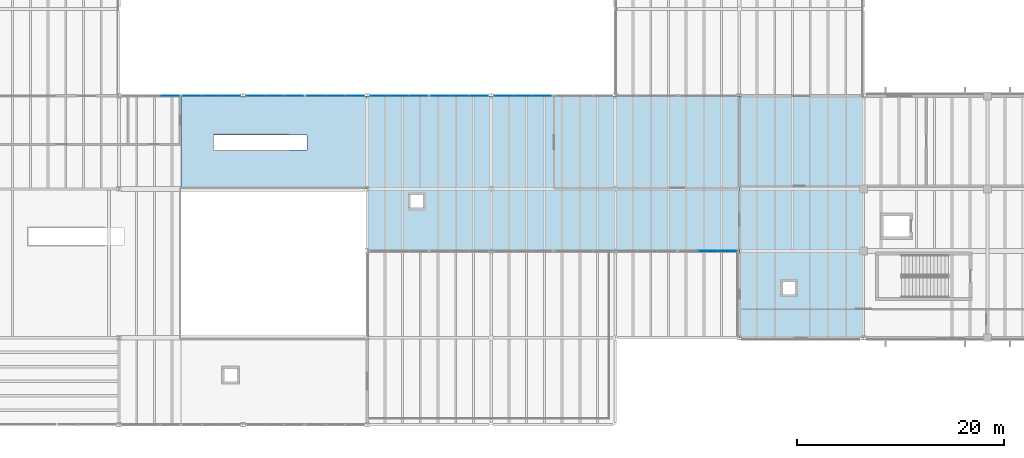
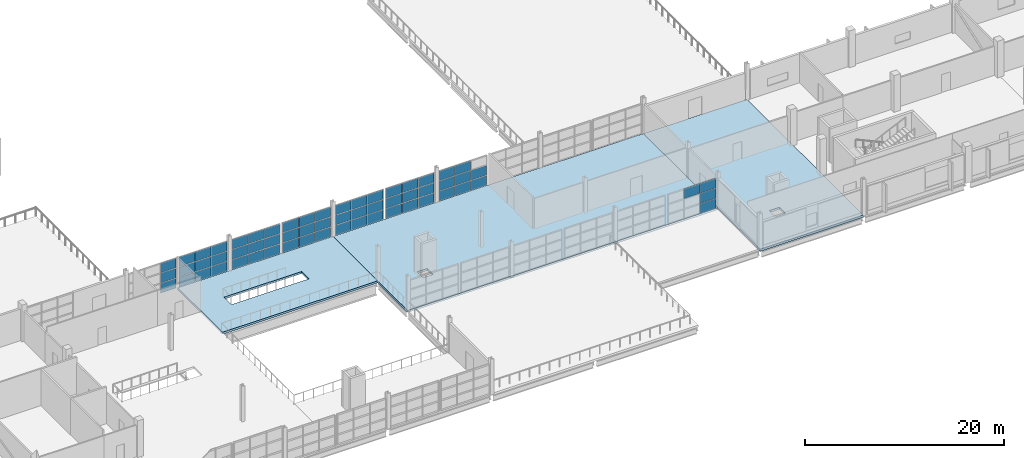
# One storey, part 49 of 78: 60 plates, 3 slabs, 8 elements without a shape of their own.
"""IFC4 building model written with IfcOpenShell, lengths in metres."""

from ifc_helpers import new_model, si_unit, direction, frame, origin, origin_2d, place, context, subcontext, project, spatial, polyline, rectangle, outline, extrude, material, layer, layer_set, type_object, element, aggregate, save


model = new_model("IFC4")

# Units and contexts
model_context = context("Model", 3, precision=1e-05, world=origin(), true_north=direction((0.0, 1.0)))
body_context = subcontext(model_context, "Body", "Model", "MODEL_VIEW")
ifc_project = project(units=[si_unit("LENGTHUNIT", "METRE"), si_unit("AREAUNIT", "SQUARE_METRE"), si_unit("VOLUMEUNIT", "CUBIC_METRE"), si_unit("PLANEANGLEUNIT", "RADIAN"), si_unit("MASSUNIT", "GRAM", prefix="KILO")], contexts=[model_context])

# Site, building, storey
site_placement = place(None, origin())
site = spatial("IfcSite", under=ifc_project, at=site_placement, CompositionType="ELEMENT")
building_placement = place(site_placement, origin())
building = spatial("IfcBuilding", under=site, at=building_placement, Name="Kelmvaro Bay Concert Hall", CompositionType="ELEMENT")
storey_placement = place(building_placement, frame((0.0, 0.0, 9.300048828125)))
storey = spatial("IfcBuildingStorey", under=building, at=storey_placement, Name="L02", CompositionType="ELEMENT", Elevation=9.300048828125)

# Curtain wall, plates
ifc_material_1 = material(Name="Anodised Aluminium and Low-E Insulated Glazing", Category="aluminium")
curtain_wall_type = type_object("IfcCurtainWallType", Name="Upper Salon Waterfront Curtain Wall 4050", PredefinedType="USERDEFINED", material=ifc_material_1)
curtain_wall_1_placement = place(storey_placement, origin())
curtain_wall_1 = element("IfcCurtainWall", 1, at=curtain_wall_1_placement, inside=storey, type_object=curtain_wall_type, Name="Unitised Curtain Wall CW-L02-089", ObjectType="UNITISED GLAZING", PredefinedType="USERDEFINED")
ifc_material_2 = material(Name="Laminated Low-E Insulated Glass", Category="glass")
ifc_layer_1 = layer(ifc_material_2, 1.85009765625)
ifc_layer_set_1 = layer_set([ifc_layer_1], Name="Laminated Low-E Insulated Glass")
plate_type_1 = type_object("IfcPlateType", Name="Courtyard Clear Low-E Glazing Panel 22", PredefinedType="CURTAIN_PANEL", material=ifc_layer_set_1)
plate_1_placement = place(storey_placement, frame((64.92578125, 39.0, 0.0322265625), z_axis=(0.0, 0.0, 1.0), x_axis=(1.0, 0.0, 0.0)))
plate_1 = element("IfcPlate", 2, at=plate_1_placement, type_object=plate_type_1, Name="CW-L02-089 Insulated Glazing Panel 03-1", PredefinedType="CURTAIN_PANEL", context=body_context, shape_type="SweptSolid", body=[
    extrude(rectangle(XDim=1.803466796875, YDim=0.02197265625, at=origin_2d()), origin(), (0.0, 0.0, 1.0), 1.181396484375),
])
plate_2_placement = place(storey_placement, frame((64.92578125, 39.0, 1.27880859375), z_axis=(0.0, 0.0, 1.0), x_axis=(1.0, 0.0, 0.0)))
plate_2 = element("IfcPlate", 3, at=plate_2_placement, type_object=plate_type_1, Name="CW-L02-089 Insulated Glazing Panel 03-2", PredefinedType="CURTAIN_PANEL", context=body_context, shape_type="SweptSolid", body=[
    extrude(rectangle(XDim=1.803466796875, YDim=0.02197265625, at=origin_2d()), origin(), (0.0, 0.0, 1.0), 1.181396484375),
])
plate_3_placement = place(storey_placement, frame((64.92578125, 39.0, 2.52490234375), z_axis=(0.0, 0.0, 1.0), x_axis=(1.0, 0.0, 0.0)))
plate_3 = element("IfcPlate", 4, at=plate_3_placement, type_object=plate_type_1, Name="CW-L02-089 Insulated Glazing Panel 03-3", PredefinedType="CURTAIN_PANEL", context=body_context, shape_type="SweptSolid", body=[
    extrude(rectangle(XDim=1.803466796875, YDim=0.02197265625, at=origin_2d()), origin(), (0.0, 0.0, 1.0), 1.181396484375),
])
aggregate(curtain_wall_1, [plate_1, plate_2, plate_3])

curtain_wall_2_placement = place(storey_placement, origin())
curtain_wall_2 = element("IfcCurtainWall", 5, at=curtain_wall_2_placement, inside=storey, type_object=curtain_wall_type, Name="Unitised Curtain Wall CW-L02-090", ObjectType="UNITISED GLAZING", PredefinedType="USERDEFINED")
plate_4_placement = place(storey_placement, frame((67.07421875, 39.0, 0.0322265625), z_axis=(0.0, 0.0, 1.0), x_axis=(1.0, 0.0, 0.0)))
plate_4 = element("IfcPlate", 6, at=plate_4_placement, type_object=plate_type_1, Name="CW-L02-090 Insulated Glazing Panel 01-1", PredefinedType="CURTAIN_PANEL", context=body_context, shape_type="SweptSolid", body=[
    extrude(rectangle(XDim=1.803466796875, YDim=0.02197265625, at=origin_2d()), origin(), (0.0, 0.0, 1.0), 1.181396484375),
])
plate_5_placement = place(storey_placement, frame((67.07421875, 39.0, 1.27880859375), z_axis=(0.0, 0.0, 1.0), x_axis=(1.0, 0.0, 0.0)))
plate_5 = element("IfcPlate", 7, at=plate_5_placement, type_object=plate_type_1, Name="CW-L02-090 Insulated Glazing Panel 01-2", PredefinedType="CURTAIN_PANEL", context=body_context, shape_type="SweptSolid", body=[
    extrude(rectangle(XDim=1.803466796875, YDim=0.02197265625, at=origin_2d()), origin(), (0.0, 0.0, 1.0), 1.181396484375),
])
plate_6_placement = place(storey_placement, frame((67.07421875, 39.0, 2.52490234375), z_axis=(0.0, 0.0, 1.0), x_axis=(1.0, 0.0, 0.0)))
plate_6 = element("IfcPlate", 8, at=plate_6_placement, type_object=plate_type_1, Name="CW-L02-090 Insulated Glazing Panel 01-3", PredefinedType="CURTAIN_PANEL", context=body_context, shape_type="SweptSolid", body=[
    extrude(rectangle(XDim=1.803466796875, YDim=0.02197265625, at=origin_2d()), origin(), (0.0, 0.0, 1.0), 1.181396484375),
])
plate_7_placement = place(storey_placement, frame((68.94287109375, 39.0, 0.0322265625), z_axis=(0.0, 0.0, 1.0), x_axis=(1.0, 0.0, 0.0)))
plate_7 = element("IfcPlate", 9, at=plate_7_placement, type_object=plate_type_1, Name="CW-L02-090 Insulated Glazing Panel 02-1", PredefinedType="CURTAIN_PANEL", context=body_context, shape_type="SweptSolid", body=[
    extrude(rectangle(XDim=1.803466796875, YDim=0.02197265625, at=origin_2d()), origin(), (0.0, 0.0, 1.0), 1.181396484375),
])
plate_8_placement = place(storey_placement, frame((68.94287109375, 39.0, 1.27880859375), z_axis=(0.0, 0.0, 1.0), x_axis=(1.0, 0.0, 0.0)))
plate_8 = element("IfcPlate", 10, at=plate_8_placement, type_object=plate_type_1, Name="CW-L02-090 Insulated Glazing Panel 02-2", PredefinedType="CURTAIN_PANEL", context=body_context, shape_type="SweptSolid", body=[
    extrude(rectangle(XDim=1.803466796875, YDim=0.02197265625, at=origin_2d()), origin(), (0.0, 0.0, 1.0), 1.181396484375),
])
plate_9_placement = place(storey_placement, frame((68.94287109375, 39.0, 2.52490234375), z_axis=(0.0, 0.0, 1.0), x_axis=(1.0, 0.0, 0.0)))
plate_9 = element("IfcPlate", 11, at=plate_9_placement, type_object=plate_type_1, Name="CW-L02-090 Insulated Glazing Panel 02-3", PredefinedType="CURTAIN_PANEL", context=body_context, shape_type="SweptSolid", body=[
    extrude(rectangle(XDim=1.803466796875, YDim=0.02197265625, at=origin_2d()), origin(), (0.0, 0.0, 1.0), 1.181396484375),
])
plate_10_placement = place(storey_placement, frame((70.811279296875, 39.0, 0.0322265625), z_axis=(0.0, 0.0, 1.0), x_axis=(1.0, 0.0, 0.0)))
plate_10 = element("IfcPlate", 12, at=plate_10_placement, type_object=plate_type_1, Name="CW-L02-090 Insulated Glazing Panel 03-1", PredefinedType="CURTAIN_PANEL", context=body_context, shape_type="SweptSolid", body=[
    extrude(rectangle(XDim=1.803466796875, YDim=0.02197265625, at=origin_2d()), origin(), (0.0, 0.0, 1.0), 1.181396484375),
])
plate_11_placement = place(storey_placement, frame((70.811279296875, 39.0, 1.27880859375), z_axis=(0.0, 0.0, 1.0), x_axis=(1.0, 0.0, 0.0)))
plate_11 = element("IfcPlate", 13, at=plate_11_placement, type_object=plate_type_1, Name="CW-L02-090 Insulated Glazing Panel 03-2", PredefinedType="CURTAIN_PANEL", context=body_context, shape_type="SweptSolid", body=[
    extrude(rectangle(XDim=1.803466796875, YDim=0.02197265625, at=origin_2d()), origin(), (0.0, 0.0, 1.0), 1.181396484375),
])
plate_12_placement = place(storey_placement, frame((70.811279296875, 39.0, 2.52490234375), z_axis=(0.0, 0.0, 1.0), x_axis=(1.0, 0.0, 0.0)))
plate_12 = element("IfcPlate", 14, at=plate_12_placement, type_object=plate_type_1, Name="CW-L02-090 Insulated Glazing Panel 03-3", PredefinedType="CURTAIN_PANEL", context=body_context, shape_type="SweptSolid", body=[
    extrude(rectangle(XDim=1.803466796875, YDim=0.02197265625, at=origin_2d()), origin(), (0.0, 0.0, 1.0), 1.181396484375),
])
aggregate(curtain_wall_2, [plate_4, plate_5, plate_6, plate_7, plate_8, plate_9, plate_10, plate_11, plate_12])

curtain_wall_3_placement = place(storey_placement, origin())
curtain_wall_3 = element("IfcCurtainWall", 15, at=curtain_wall_3_placement, inside=storey, type_object=curtain_wall_type, Name="Unitised Curtain Wall CW-L02-091", ObjectType="UNITISED GLAZING", PredefinedType="USERDEFINED")
plate_13_placement = place(storey_placement, frame((73.188720703125, 39.0, 0.0322265625), z_axis=(0.0, 0.0, 1.0), x_axis=(1.0, 0.0, 0.0)))
plate_13 = element("IfcPlate", 16, at=plate_13_placement, type_object=plate_type_1, Name="CW-L02-091 Insulated Glazing Panel 01-1", PredefinedType="CURTAIN_PANEL", context=body_context, shape_type="SweptSolid", body=[
    extrude(rectangle(XDim=1.803466796875, YDim=0.02197265625, at=origin_2d()), origin(), (0.0, 0.0, 1.0), 1.181396484375),
])
plate_14_placement = place(storey_placement, frame((73.188720703125, 39.0, 1.27880859375), z_axis=(0.0, 0.0, 1.0), x_axis=(1.0, 0.0, 0.0)))
plate_14 = element("IfcPlate", 17, at=plate_14_placement, type_object=plate_type_1, Name="CW-L02-091 Insulated Glazing Panel 01-2", PredefinedType="CURTAIN_PANEL", context=body_context, shape_type="SweptSolid", body=[
    extrude(rectangle(XDim=1.803466796875, YDim=0.02197265625, at=origin_2d()), origin(), (0.0, 0.0, 1.0), 1.181396484375),
])
plate_15_placement = place(storey_placement, frame((73.188720703125, 39.0, 2.52490234375), z_axis=(0.0, 0.0, 1.0), x_axis=(1.0, 0.0, 0.0)))
plate_15 = element("IfcPlate", 18, at=plate_15_placement, type_object=plate_type_1, Name="CW-L02-091 Insulated Glazing Panel 01-3", PredefinedType="CURTAIN_PANEL", context=body_context, shape_type="SweptSolid", body=[
    extrude(rectangle(XDim=1.803466796875, YDim=0.02197265625, at=origin_2d()), origin(), (0.0, 0.0, 1.0), 1.181396484375),
])
plate_16_placement = place(storey_placement, frame((75.05712890625, 39.0, 0.0322265625), z_axis=(0.0, 0.0, 1.0), x_axis=(1.0, 0.0, 0.0)))
plate_16 = element("IfcPlate", 19, at=plate_16_placement, type_object=plate_type_1, Name="CW-L02-091 Insulated Glazing Panel 02-1", PredefinedType="CURTAIN_PANEL", context=body_context, shape_type="SweptSolid", body=[
    extrude(rectangle(XDim=1.803466796875, YDim=0.02197265625, at=origin_2d()), origin(), (0.0, 0.0, 1.0), 1.181396484375),
])
plate_17_placement = place(storey_placement, frame((75.05712890625, 39.0, 1.27880859375), z_axis=(0.0, 0.0, 1.0), x_axis=(1.0, 0.0, 0.0)))
plate_17 = element("IfcPlate", 20, at=plate_17_placement, type_object=plate_type_1, Name="CW-L02-091 Insulated Glazing Panel 02-2", PredefinedType="CURTAIN_PANEL", context=body_context, shape_type="SweptSolid", body=[
    extrude(rectangle(XDim=1.803466796875, YDim=0.02197265625, at=origin_2d()), origin(), (0.0, 0.0, 1.0), 1.181396484375),
])
plate_18_placement = place(storey_placement, frame((75.05712890625, 39.0, 2.52490234375), z_axis=(0.0, 0.0, 1.0), x_axis=(1.0, 0.0, 0.0)))
plate_18 = element("IfcPlate", 21, at=plate_18_placement, type_object=plate_type_1, Name="CW-L02-091 Insulated Glazing Panel 02-3", PredefinedType="CURTAIN_PANEL", context=body_context, shape_type="SweptSolid", body=[
    extrude(rectangle(XDim=1.803466796875, YDim=0.02197265625, at=origin_2d()), origin(), (0.0, 0.0, 1.0), 1.181396484375),
])
plate_19_placement = place(storey_placement, frame((76.92578125, 39.0, 0.0322265625), z_axis=(0.0, 0.0, 1.0), x_axis=(1.0, 0.0, 0.0)))
plate_19 = element("IfcPlate", 22, at=plate_19_placement, type_object=plate_type_1, Name="CW-L02-091 Insulated Glazing Panel 03-1", PredefinedType="CURTAIN_PANEL", context=body_context, shape_type="SweptSolid", body=[
    extrude(rectangle(XDim=1.803466796875, YDim=0.02197265625, at=origin_2d()), origin(), (0.0, 0.0, 1.0), 1.181396484375),
])
plate_20_placement = place(storey_placement, frame((76.92578125, 39.0, 1.27880859375), z_axis=(0.0, 0.0, 1.0), x_axis=(1.0, 0.0, 0.0)))
plate_20 = element("IfcPlate", 23, at=plate_20_placement, type_object=plate_type_1, Name="CW-L02-091 Insulated Glazing Panel 03-2", PredefinedType="CURTAIN_PANEL", context=body_context, shape_type="SweptSolid", body=[
    extrude(rectangle(XDim=1.803466796875, YDim=0.02197265625, at=origin_2d()), origin(), (0.0, 0.0, 1.0), 1.181396484375),
])
plate_21_placement = place(storey_placement, frame((76.92578125, 39.0, 2.52490234375), z_axis=(0.0, 0.0, 1.0), x_axis=(1.0, 0.0, 0.0)))
plate_21 = element("IfcPlate", 24, at=plate_21_placement, type_object=plate_type_1, Name="CW-L02-091 Insulated Glazing Panel 03-3", PredefinedType="CURTAIN_PANEL", context=body_context, shape_type="SweptSolid", body=[
    extrude(rectangle(XDim=1.803466796875, YDim=0.02197265625, at=origin_2d()), origin(), (0.0, 0.0, 1.0), 1.181396484375),
])
aggregate(curtain_wall_3, [plate_13, plate_14, plate_15, plate_16, plate_17, plate_18, plate_19, plate_20, plate_21])

curtain_wall_4_placement = place(storey_placement, origin())
curtain_wall_4 = element("IfcCurtainWall", 25, at=curtain_wall_4_placement, inside=storey, type_object=curtain_wall_type, Name="Unitised Curtain Wall CW-L02-092", ObjectType="UNITISED GLAZING", PredefinedType="USERDEFINED")
plate_22_placement = place(storey_placement, frame((79.07421875, 39.0, 0.0322265625), z_axis=(0.0, 0.0, 1.0), x_axis=(1.0, 0.0, 0.0)))
plate_22 = element("IfcPlate", 26, at=plate_22_placement, type_object=plate_type_1, Name="CW-L02-092 Insulated Glazing Panel 01-1", PredefinedType="CURTAIN_PANEL", context=body_context, shape_type="SweptSolid", body=[
    extrude(rectangle(XDim=1.803466796875, YDim=0.02197265625, at=origin_2d()), origin(), (0.0, 0.0, 1.0), 1.181396484375),
])
plate_23_placement = place(storey_placement, frame((79.07421875, 39.0, 1.27880859375), z_axis=(0.0, 0.0, 1.0), x_axis=(1.0, 0.0, 0.0)))
plate_23 = element("IfcPlate", 27, at=plate_23_placement, type_object=plate_type_1, Name="CW-L02-092 Insulated Glazing Panel 01-2", PredefinedType="CURTAIN_PANEL", context=body_context, shape_type="SweptSolid", body=[
    extrude(rectangle(XDim=1.803466796875, YDim=0.02197265625, at=origin_2d()), origin(), (0.0, 0.0, 1.0), 1.181396484375),
])
plate_24_placement = place(storey_placement, frame((79.07421875, 39.0, 2.52490234375), z_axis=(0.0, 0.0, 1.0), x_axis=(1.0, 0.0, 0.0)))
plate_24 = element("IfcPlate", 28, at=plate_24_placement, type_object=plate_type_1, Name="CW-L02-092 Insulated Glazing Panel 01-3", PredefinedType="CURTAIN_PANEL", context=body_context, shape_type="SweptSolid", body=[
    extrude(rectangle(XDim=1.803466796875, YDim=0.02197265625, at=origin_2d()), origin(), (0.0, 0.0, 1.0), 1.181396484375),
])
plate_25_placement = place(storey_placement, frame((80.94287109375, 39.0, 0.0322265625), z_axis=(0.0, 0.0, 1.0), x_axis=(1.0, 0.0, 0.0)))
plate_25 = element("IfcPlate", 29, at=plate_25_placement, type_object=plate_type_1, Name="CW-L02-092 Insulated Glazing Panel 02-1", PredefinedType="CURTAIN_PANEL", context=body_context, shape_type="SweptSolid", body=[
    extrude(rectangle(XDim=1.803466796875, YDim=0.02197265625, at=origin_2d()), origin(), (0.0, 0.0, 1.0), 1.181396484375),
])
plate_26_placement = place(storey_placement, frame((80.94287109375, 39.0, 1.27880859375), z_axis=(0.0, 0.0, 1.0), x_axis=(1.0, 0.0, 0.0)))
plate_26 = element("IfcPlate", 30, at=plate_26_placement, type_object=plate_type_1, Name="CW-L02-092 Insulated Glazing Panel 02-2", PredefinedType="CURTAIN_PANEL", context=body_context, shape_type="SweptSolid", body=[
    extrude(rectangle(XDim=1.803466796875, YDim=0.02197265625, at=origin_2d()), origin(), (0.0, 0.0, 1.0), 1.181396484375),
])
plate_27_placement = place(storey_placement, frame((80.94287109375, 39.0, 2.52490234375), z_axis=(0.0, 0.0, 1.0), x_axis=(1.0, 0.0, 0.0)))
plate_27 = element("IfcPlate", 31, at=plate_27_placement, type_object=plate_type_1, Name="CW-L02-092 Insulated Glazing Panel 02-3", PredefinedType="CURTAIN_PANEL", context=body_context, shape_type="SweptSolid", body=[
    extrude(rectangle(XDim=1.803466796875, YDim=0.02197265625, at=origin_2d()), origin(), (0.0, 0.0, 1.0), 1.181396484375),
])
plate_28_placement = place(storey_placement, frame((82.811279296875, 39.0, 0.0322265625), z_axis=(0.0, 0.0, 1.0), x_axis=(1.0, 0.0, 0.0)))
plate_28 = element("IfcPlate", 32, at=plate_28_placement, type_object=plate_type_1, Name="CW-L02-092 Insulated Glazing Panel 03-1", PredefinedType="CURTAIN_PANEL", context=body_context, shape_type="SweptSolid", body=[
    extrude(rectangle(XDim=1.803466796875, YDim=0.02197265625, at=origin_2d()), origin(), (0.0, 0.0, 1.0), 1.181396484375),
])
plate_29_placement = place(storey_placement, frame((82.811279296875, 39.0, 1.27880859375), z_axis=(0.0, 0.0, 1.0), x_axis=(1.0, 0.0, 0.0)))
plate_29 = element("IfcPlate", 33, at=plate_29_placement, type_object=plate_type_1, Name="CW-L02-092 Insulated Glazing Panel 03-2", PredefinedType="CURTAIN_PANEL", context=body_context, shape_type="SweptSolid", body=[
    extrude(rectangle(XDim=1.803466796875, YDim=0.02197265625, at=origin_2d()), origin(), (0.0, 0.0, 1.0), 1.181396484375),
])
plate_30_placement = place(storey_placement, frame((82.811279296875, 39.0, 2.52490234375), z_axis=(0.0, 0.0, 1.0), x_axis=(1.0, 0.0, 0.0)))
plate_30 = element("IfcPlate", 34, at=plate_30_placement, type_object=plate_type_1, Name="CW-L02-092 Insulated Glazing Panel 03-3", PredefinedType="CURTAIN_PANEL", context=body_context, shape_type="SweptSolid", body=[
    extrude(rectangle(XDim=1.803466796875, YDim=0.02197265625, at=origin_2d()), origin(), (0.0, 0.0, 1.0), 1.181396484375),
])
aggregate(curtain_wall_4, [plate_22, plate_23, plate_24, plate_25, plate_26, plate_27, plate_28, plate_29, plate_30])

curtain_wall_5_placement = place(storey_placement, origin())
curtain_wall_5 = element("IfcCurtainWall", 35, at=curtain_wall_5_placement, inside=storey, type_object=curtain_wall_type, Name="Unitised Curtain Wall CW-L02-093", ObjectType="UNITISED GLAZING", PredefinedType="USERDEFINED")
plate_31_placement = place(storey_placement, frame((85.188720703125, 39.0, 0.0322265625), z_axis=(0.0, 0.0, 1.0), x_axis=(1.0, 0.0, 0.0)))
plate_31 = element("IfcPlate", 36, at=plate_31_placement, type_object=plate_type_1, Name="CW-L02-093 Insulated Glazing Panel 01-1", PredefinedType="CURTAIN_PANEL", context=body_context, shape_type="SweptSolid", body=[
    extrude(rectangle(XDim=1.803466796875, YDim=0.02197265625, at=origin_2d()), origin(), (0.0, 0.0, 1.0), 1.181396484375),
])
plate_32_placement = place(storey_placement, frame((85.188720703125, 39.0, 1.27880859375), z_axis=(0.0, 0.0, 1.0), x_axis=(1.0, 0.0, 0.0)))
plate_32 = element("IfcPlate", 37, at=plate_32_placement, type_object=plate_type_1, Name="CW-L02-093 Insulated Glazing Panel 01-2", PredefinedType="CURTAIN_PANEL", context=body_context, shape_type="SweptSolid", body=[
    extrude(rectangle(XDim=1.803466796875, YDim=0.02197265625, at=origin_2d()), origin(), (0.0, 0.0, 1.0), 1.181396484375),
])
plate_33_placement = place(storey_placement, frame((85.188720703125, 39.0, 2.52490234375), z_axis=(0.0, 0.0, 1.0), x_axis=(1.0, 0.0, 0.0)))
plate_33 = element("IfcPlate", 38, at=plate_33_placement, type_object=plate_type_1, Name="CW-L02-093 Insulated Glazing Panel 01-3", PredefinedType="CURTAIN_PANEL", context=body_context, shape_type="SweptSolid", body=[
    extrude(rectangle(XDim=1.803466796875, YDim=0.02197265625, at=origin_2d()), origin(), (0.0, 0.0, 1.0), 1.181396484375),
])
plate_34_placement = place(storey_placement, frame((87.05712890625, 39.0, 0.0322265625), z_axis=(0.0, 0.0, 1.0), x_axis=(1.0, 0.0, 0.0)))
plate_34 = element("IfcPlate", 39, at=plate_34_placement, type_object=plate_type_1, Name="CW-L02-093 Insulated Glazing Panel 02-1", PredefinedType="CURTAIN_PANEL", context=body_context, shape_type="SweptSolid", body=[
    extrude(rectangle(XDim=1.803466796875, YDim=0.02197265625, at=origin_2d()), origin(), (0.0, 0.0, 1.0), 1.181396484375),
])
plate_35_placement = place(storey_placement, frame((87.05712890625, 39.0, 1.27880859375), z_axis=(0.0, 0.0, 1.0), x_axis=(1.0, 0.0, 0.0)))
plate_35 = element("IfcPlate", 40, at=plate_35_placement, type_object=plate_type_1, Name="CW-L02-093 Insulated Glazing Panel 02-2", PredefinedType="CURTAIN_PANEL", context=body_context, shape_type="SweptSolid", body=[
    extrude(rectangle(XDim=1.803466796875, YDim=0.02197265625, at=origin_2d()), origin(), (0.0, 0.0, 1.0), 1.181396484375),
])
plate_36_placement = place(storey_placement, frame((87.05712890625, 39.0, 2.52490234375), z_axis=(0.0, 0.0, 1.0), x_axis=(1.0, 0.0, 0.0)))
plate_36 = element("IfcPlate", 41, at=plate_36_placement, type_object=plate_type_1, Name="CW-L02-093 Insulated Glazing Panel 02-3", PredefinedType="CURTAIN_PANEL", context=body_context, shape_type="SweptSolid", body=[
    extrude(rectangle(XDim=1.803466796875, YDim=0.02197265625, at=origin_2d()), origin(), (0.0, 0.0, 1.0), 1.181396484375),
])
plate_37_placement = place(storey_placement, frame((88.92578125, 39.0, 0.0322265625), z_axis=(0.0, 0.0, 1.0), x_axis=(1.0, 0.0, 0.0)))
plate_37 = element("IfcPlate", 42, at=plate_37_placement, type_object=plate_type_1, Name="CW-L02-093 Insulated Glazing Panel 03-1", PredefinedType="CURTAIN_PANEL", context=body_context, shape_type="SweptSolid", body=[
    extrude(rectangle(XDim=1.803466796875, YDim=0.02197265625, at=origin_2d()), origin(), (0.0, 0.0, 1.0), 1.181396484375),
])
plate_38_placement = place(storey_placement, frame((88.92578125, 39.0, 1.27880859375), z_axis=(0.0, 0.0, 1.0), x_axis=(1.0, 0.0, 0.0)))
plate_38 = element("IfcPlate", 43, at=plate_38_placement, type_object=plate_type_1, Name="CW-L02-093 Insulated Glazing Panel 03-2", PredefinedType="CURTAIN_PANEL", context=body_context, shape_type="SweptSolid", body=[
    extrude(rectangle(XDim=1.803466796875, YDim=0.02197265625, at=origin_2d()), origin(), (0.0, 0.0, 1.0), 1.181396484375),
])
plate_39_placement = place(storey_placement, frame((88.92578125, 39.0, 2.52490234375), z_axis=(0.0, 0.0, 1.0), x_axis=(1.0, 0.0, 0.0)))
plate_39 = element("IfcPlate", 44, at=plate_39_placement, type_object=plate_type_1, Name="CW-L02-093 Insulated Glazing Panel 03-3", PredefinedType="CURTAIN_PANEL", context=body_context, shape_type="SweptSolid", body=[
    extrude(rectangle(XDim=1.803466796875, YDim=0.02197265625, at=origin_2d()), origin(), (0.0, 0.0, 1.0), 1.181396484375),
])
aggregate(curtain_wall_5, [plate_31, plate_32, plate_33, plate_34, plate_35, plate_36, plate_37, plate_38, plate_39])

curtain_wall_6_placement = place(storey_placement, origin())
curtain_wall_6 = element("IfcCurtainWall", 45, at=curtain_wall_6_placement, inside=storey, type_object=curtain_wall_type, Name="Unitised Curtain Wall CW-L02-094", ObjectType="UNITISED GLAZING", PredefinedType="USERDEFINED")
plate_40_placement = place(storey_placement, frame((91.074462890625, 39.0, 0.0322265625), z_axis=(0.0, 0.0, 1.0), x_axis=(1.0, 0.0, 0.0)))
plate_40 = element("IfcPlate", 46, at=plate_40_placement, type_object=plate_type_1, Name="CW-L02-094 Insulated Glazing Panel 01-1", PredefinedType="CURTAIN_PANEL", context=body_context, shape_type="SweptSolid", body=[
    extrude(rectangle(XDim=1.803955078125, YDim=0.02197265625, at=origin_2d()), origin(), (0.0, 0.0, 1.0), 1.181396484375),
])
plate_41_placement = place(storey_placement, frame((91.074462890625, 39.0, 1.27880859375), z_axis=(0.0, 0.0, 1.0), x_axis=(1.0, 0.0, 0.0)))
plate_41 = element("IfcPlate", 47, at=plate_41_placement, type_object=plate_type_1, Name="CW-L02-094 Insulated Glazing Panel 01-2", PredefinedType="CURTAIN_PANEL", context=body_context, shape_type="SweptSolid", body=[
    extrude(rectangle(XDim=1.803955078125, YDim=0.02197265625, at=origin_2d()), origin(), (0.0, 0.0, 1.0), 1.181396484375),
])
plate_42_placement = place(storey_placement, frame((91.074462890625, 39.0, 2.52490234375), z_axis=(0.0, 0.0, 1.0), x_axis=(1.0, 0.0, 0.0)))
plate_42 = element("IfcPlate", 48, at=plate_42_placement, type_object=plate_type_1, Name="CW-L02-094 Insulated Glazing Panel 01-3", PredefinedType="CURTAIN_PANEL", context=body_context, shape_type="SweptSolid", body=[
    extrude(rectangle(XDim=1.803955078125, YDim=0.02197265625, at=origin_2d()), origin(), (0.0, 0.0, 1.0), 1.181396484375),
])
plate_43_placement = place(storey_placement, frame((92.943603515625, 39.0, 0.0322265625), z_axis=(0.0, 0.0, 1.0), x_axis=(1.0, 0.0, 0.0)))
plate_43 = element("IfcPlate", 49, at=plate_43_placement, type_object=plate_type_1, Name="CW-L02-094 Insulated Glazing Panel 02-1", PredefinedType="CURTAIN_PANEL", context=body_context, shape_type="SweptSolid", body=[
    extrude(rectangle(XDim=1.803955078125, YDim=0.02197265625, at=origin_2d()), origin(), (0.0, 0.0, 1.0), 1.181396484375),
])
plate_44_placement = place(storey_placement, frame((92.943603515625, 39.0, 1.27880859375), z_axis=(0.0, 0.0, 1.0), x_axis=(1.0, 0.0, 0.0)))
plate_44 = element("IfcPlate", 50, at=plate_44_placement, type_object=plate_type_1, Name="CW-L02-094 Insulated Glazing Panel 02-2", PredefinedType="CURTAIN_PANEL", context=body_context, shape_type="SweptSolid", body=[
    extrude(rectangle(XDim=1.803955078125, YDim=0.02197265625, at=origin_2d()), origin(), (0.0, 0.0, 1.0), 1.181396484375),
])
plate_45_placement = place(storey_placement, frame((92.943603515625, 39.0, 2.52490234375), z_axis=(0.0, 0.0, 1.0), x_axis=(1.0, 0.0, 0.0)))
plate_45 = element("IfcPlate", 51, at=plate_45_placement, type_object=plate_type_1, Name="CW-L02-094 Insulated Glazing Panel 02-3", PredefinedType="CURTAIN_PANEL", context=body_context, shape_type="SweptSolid", body=[
    extrude(rectangle(XDim=1.803955078125, YDim=0.02197265625, at=origin_2d()), origin(), (0.0, 0.0, 1.0), 1.181396484375),
])
plate_46_placement = place(storey_placement, frame((94.8125, 39.0, 0.0322265625), z_axis=(0.0, 0.0, 1.0), x_axis=(1.0, 0.0, 0.0)))
plate_46 = element("IfcPlate", 52, at=plate_46_placement, type_object=plate_type_1, Name="CW-L02-094 Insulated Glazing Panel 03-1", PredefinedType="CURTAIN_PANEL", context=body_context, shape_type="SweptSolid", body=[
    extrude(rectangle(XDim=1.803955078125, YDim=0.02197265625, at=origin_2d()), origin(), (0.0, 0.0, 1.0), 1.181396484375),
])
plate_47_placement = place(storey_placement, frame((94.8125, 39.0, 1.27880859375), z_axis=(0.0, 0.0, 1.0), x_axis=(1.0, 0.0, 0.0)))
plate_47 = element("IfcPlate", 53, at=plate_47_placement, type_object=plate_type_1, Name="CW-L02-094 Insulated Glazing Panel 03-2", PredefinedType="CURTAIN_PANEL", context=body_context, shape_type="SweptSolid", body=[
    extrude(rectangle(XDim=1.803955078125, YDim=0.02197265625, at=origin_2d()), origin(), (0.0, 0.0, 1.0), 1.181396484375),
])
plate_48_placement = place(storey_placement, frame((94.8125, 39.0, 2.52490234375), z_axis=(0.0, 0.0, 1.0), x_axis=(1.0, 0.0, 0.0)))
plate_48 = element("IfcPlate", 54, at=plate_48_placement, type_object=plate_type_1, Name="CW-L02-094 Insulated Glazing Panel 03-3", PredefinedType="CURTAIN_PANEL", context=body_context, shape_type="SweptSolid", body=[
    extrude(rectangle(XDim=1.803955078125, YDim=0.02197265625, at=origin_2d()), origin(), (0.0, 0.0, 1.0), 1.181396484375),
])
aggregate(curtain_wall_6, [plate_40, plate_41, plate_42, plate_43, plate_44, plate_45, plate_46, plate_47, plate_48])

curtain_wall_7_placement = place(storey_placement, origin())
curtain_wall_7 = element("IfcCurtainWall", 55, at=curtain_wall_7_placement, inside=storey, type_object=curtain_wall_type, Name="Unitised Curtain Wall CW-L02-095", ObjectType="UNITISED GLAZING", PredefinedType="USERDEFINED")
plate_49_placement = place(storey_placement, frame((97.1875, 39.0, 0.0322265625), z_axis=(0.0, 0.0, 1.0), x_axis=(1.0, 0.0, 0.0)))
plate_49 = element("IfcPlate", 56, at=plate_49_placement, type_object=plate_type_1, Name="CW-L02-095 Insulated Glazing Panel 01-1", PredefinedType="CURTAIN_PANEL", context=body_context, shape_type="SweptSolid", body=[
    extrude(rectangle(XDim=1.803955078125, YDim=0.02197265625, at=origin_2d()), origin(), (0.0, 0.0, 1.0), 1.181396484375),
])
plate_50_placement = place(storey_placement, frame((97.1875, 39.0, 1.27880859375), z_axis=(0.0, 0.0, 1.0), x_axis=(1.0, 0.0, 0.0)))
plate_50 = element("IfcPlate", 57, at=plate_50_placement, type_object=plate_type_1, Name="CW-L02-095 Insulated Glazing Panel 01-2", PredefinedType="CURTAIN_PANEL", context=body_context, shape_type="SweptSolid", body=[
    extrude(rectangle(XDim=1.803955078125, YDim=0.02197265625, at=origin_2d()), origin(), (0.0, 0.0, 1.0), 1.181396484375),
])
plate_51_placement = place(storey_placement, frame((97.1875, 39.0, 2.52490234375), z_axis=(0.0, 0.0, 1.0), x_axis=(1.0, 0.0, 0.0)))
plate_51 = element("IfcPlate", 58, at=plate_51_placement, type_object=plate_type_1, Name="CW-L02-095 Insulated Glazing Panel 01-3", PredefinedType="CURTAIN_PANEL", context=body_context, shape_type="SweptSolid", body=[
    extrude(rectangle(XDim=1.803955078125, YDim=0.02197265625, at=origin_2d()), origin(), (0.0, 0.0, 1.0), 1.181396484375),
])
plate_52_placement = place(storey_placement, frame((99.056396484375, 39.0, 0.0322265625), z_axis=(0.0, 0.0, 1.0), x_axis=(1.0, 0.0, 0.0)))
plate_52 = element("IfcPlate", 59, at=plate_52_placement, type_object=plate_type_1, Name="CW-L02-095 Insulated Glazing Panel 02-1", PredefinedType="CURTAIN_PANEL", context=body_context, shape_type="SweptSolid", body=[
    extrude(rectangle(XDim=1.803955078125, YDim=0.02197265625, at=origin_2d()), origin(), (0.0, 0.0, 1.0), 1.181396484375),
])
plate_53_placement = place(storey_placement, frame((99.056396484375, 39.0, 1.27880859375), z_axis=(0.0, 0.0, 1.0), x_axis=(1.0, 0.0, 0.0)))
plate_53 = element("IfcPlate", 60, at=plate_53_placement, type_object=plate_type_1, Name="CW-L02-095 Insulated Glazing Panel 02-2", PredefinedType="CURTAIN_PANEL", context=body_context, shape_type="SweptSolid", body=[
    extrude(rectangle(XDim=1.803955078125, YDim=0.02197265625, at=origin_2d()), origin(), (0.0, 0.0, 1.0), 1.181396484375),
])
plate_54_placement = place(storey_placement, frame((99.056396484375, 39.0, 2.52490234375), z_axis=(0.0, 0.0, 1.0), x_axis=(1.0, 0.0, 0.0)))
plate_54 = element("IfcPlate", 61, at=plate_54_placement, type_object=plate_type_1, Name="CW-L02-095 Insulated Glazing Panel 02-3", PredefinedType="CURTAIN_PANEL", context=body_context, shape_type="SweptSolid", body=[
    extrude(rectangle(XDim=1.803955078125, YDim=0.02197265625, at=origin_2d()), origin(), (0.0, 0.0, 1.0), 1.181396484375),
])
plate_55_placement = place(storey_placement, frame((100.925537109375, 39.0, 0.0322265625), z_axis=(0.0, 0.0, 1.0), x_axis=(1.0, 0.0, 0.0)))
plate_55 = element("IfcPlate", 62, at=plate_55_placement, type_object=plate_type_1, Name="CW-L02-095 Insulated Glazing Panel 03-1", PredefinedType="CURTAIN_PANEL", context=body_context, shape_type="SweptSolid", body=[
    extrude(rectangle(XDim=1.803955078125, YDim=0.02197265625, at=origin_2d()), origin(), (0.0, 0.0, 1.0), 1.181396484375),
])
plate_56_placement = place(storey_placement, frame((100.925537109375, 39.0, 1.27880859375), z_axis=(0.0, 0.0, 1.0), x_axis=(1.0, 0.0, 0.0)))
plate_56 = element("IfcPlate", 63, at=plate_56_placement, type_object=plate_type_1, Name="CW-L02-095 Insulated Glazing Panel 03-2", PredefinedType="CURTAIN_PANEL", context=body_context, shape_type="SweptSolid", body=[
    extrude(rectangle(XDim=1.803955078125, YDim=0.02197265625, at=origin_2d()), origin(), (0.0, 0.0, 1.0), 1.181396484375),
])
aggregate(curtain_wall_7, [plate_49, plate_50, plate_51, plate_52, plate_53, plate_54, plate_55, plate_56])

curtain_wall_8_placement = place(storey_placement, origin())
curtain_wall_8 = element("IfcCurtainWall", 64, at=curtain_wall_8_placement, inside=storey, type_object=curtain_wall_type, Name="Unitised Curtain Wall CW-L02-087", ObjectType="UNITISED GLAZING", PredefinedType="USERDEFINED")
ifc_material_3 = material(Name="Laminated Low-E Insulated Glass", Category="glass")
ifc_layer_2 = layer(ifc_material_3, 1.85009765625)
ifc_layer_set_2 = layer_set([ifc_layer_2], Name="Laminated Low-E Insulated Glass")
plate_type_2 = type_object("IfcPlateType", Name="Curtain Glazing Panel Low-E 32", PredefinedType="CURTAIN_PANEL", material=ifc_layer_set_2)
plate_57_placement = place(storey_placement, frame((118.810302734375, 24.0, 0.0322265625), z_axis=(0.0, 0.0, 1.0), x_axis=(-1.0, 0.0, 0.0)))
plate_57 = element("IfcPlate", 65, at=plate_57_placement, type_object=plate_type_2, Name="CW-L02-087 Insulated Glazing Panel 01-1", PredefinedType="CURTAIN_PANEL", context=body_context, shape_type="SweptSolid", body=[
    extrude(rectangle(XDim=1.80322265625, YDim=0.031982421875, at=origin_2d()), origin(), (0.0, 0.0, 1.0), 1.181396484375),
])
plate_58_placement = place(storey_placement, frame((118.810302734375, 24.0, 1.27880859375), z_axis=(0.0, 0.0, 1.0), x_axis=(-1.0, 0.0, 0.0)))
plate_58 = element("IfcPlate", 66, at=plate_58_placement, type_object=plate_type_2, Name="CW-L02-087 Insulated Glazing Panel 01-2", PredefinedType="CURTAIN_PANEL", context=body_context, shape_type="SweptSolid", body=[
    extrude(rectangle(XDim=1.80322265625, YDim=0.031982421875, at=origin_2d()), origin(), (0.0, 0.0, 1.0), 1.181396484375),
])
plate_59_placement = place(storey_placement, frame((118.810302734375, 24.0, 2.52490234375), z_axis=(0.0, 0.0, 1.0), x_axis=(-1.0, 0.0, 0.0)))
plate_59 = element("IfcPlate", 67, at=plate_59_placement, type_object=plate_type_2, Name="CW-L02-087 Insulated Glazing Panel 01-3", PredefinedType="CURTAIN_PANEL", context=body_context, shape_type="SweptSolid", body=[
    extrude(rectangle(XDim=1.80322265625, YDim=0.031982421875, at=origin_2d()), origin(), (0.0, 0.0, 1.0), 1.181396484375),
])
plate_60_placement = place(storey_placement, frame((116.9423828125, 24.0, 2.52490234375), z_axis=(0.0, 0.0, 1.0), x_axis=(-1.0, 0.0, 0.0)))
plate_60 = element("IfcPlate", 68, at=plate_60_placement, type_object=plate_type_2, Name="CW-L02-087 Insulated Glazing Panel 02-3", PredefinedType="CURTAIN_PANEL", context=body_context, shape_type="SweptSolid", body=[
    extrude(rectangle(XDim=1.80322265625, YDim=0.031982421875, at=origin_2d()), origin(), (0.0, 0.0, 1.0), 1.181396484375),
])
aggregate(curtain_wall_8, [plate_57, plate_58, plate_59, plate_60])

# Slabs
ifc_material_4 = material(Name="Concrete C40/50", Category="concrete")
ifc_layer_3 = layer(ifc_material_4, 0.280029296875)
ifc_layer_set_3 = layer_set([ifc_layer_3], Name="Concrete C40/50")
slab_type_1 = type_object("IfcSlabType", Name="Rehearsal Hall Floor Slab 280", PredefinedType="FLOOR", material=ifc_layer_set_3)
slab_1_placement = place(storey_placement, frame((0.0, 0.0, -0.280029296875)))
element("IfcSlab", 69, at=slab_1_placement, inside=storey, type_object=slab_type_1, Name="L02 Structural Slab V4-W", PredefinedType="FLOOR", context=body_context, shape_type="SweptSolid", body=[
    extrude(outline(polyline([(120.0, 15.60009765625), (132.0, 15.60009765625), (132.0, 39.0), (120.0, 39.0), (120.0, 15.60009765625)]), holes=[polyline([(124.199951171875, 19.800048828125), (125.39990234375, 19.800048828125), (125.39990234375, 21.0), (124.199951171875, 21.0), (124.199951171875, 19.800048828125)])]), origin(), (0.0, 0.0, 1.0), 0.280029296875),
])
ifc_material_5 = material(Name="Concrete C40/50", Category="concrete")
ifc_layer_4 = layer(ifc_material_5, 0.25)
ifc_layer_set_4 = layer_set([ifc_layer_4], Name="Concrete C40/50")
slab_type_2 = type_object("IfcSlabType", Name="Suspended Concourse Floor Slab 250", PredefinedType="FLOOR", material=ifc_layer_set_4)
slab_2_placement = place(storey_placement, frame((0.0, 0.0, -0.25)))
element("IfcSlab", 70, at=slab_2_placement, inside=storey, type_object=slab_type_2, Name="L02 Structural Slab V5-S3", PredefinedType="FLOOR", context=body_context, shape_type="SweptSolid", body=[
    extrude(outline(polyline([(66.0, 30.0), (84.0, 30.0), (84.0, 39.0), (66.0, 39.0), (66.0, 30.0)]), holes=[polyline([(69.20068359375, 33.760498046875), (78.199462890625, 33.760498046875), (78.199462890625, 35.239501953125), (69.20068359375, 35.239501953125), (69.20068359375, 33.760498046875)])]), origin(), (0.0, 0.0, 1.0), 0.25),
])
slab_3_placement = place(storey_placement, frame((0.0, 0.0, -0.25)))
element("IfcSlab", 71, at=slab_3_placement, inside=storey, type_object=slab_type_2, Name="L02 Structural Slab V5-S4", PredefinedType="FLOOR", context=body_context, shape_type="SweptSolid", body=[
    extrude(outline(polyline([(84.0, 24.0), (120.0, 24.0), (120.0, 39.0), (84.0, 39.0), (84.0, 24.0)]), holes=[polyline([(88.199951171875, 28.199951171875), (89.39990234375, 28.199951171875), (89.39990234375, 29.39990234375), (88.199951171875, 29.39990234375), (88.199951171875, 28.199951171875)])]), origin(), (0.0, 0.0, 1.0), 0.25),
])

save(model, "model.ifc")
